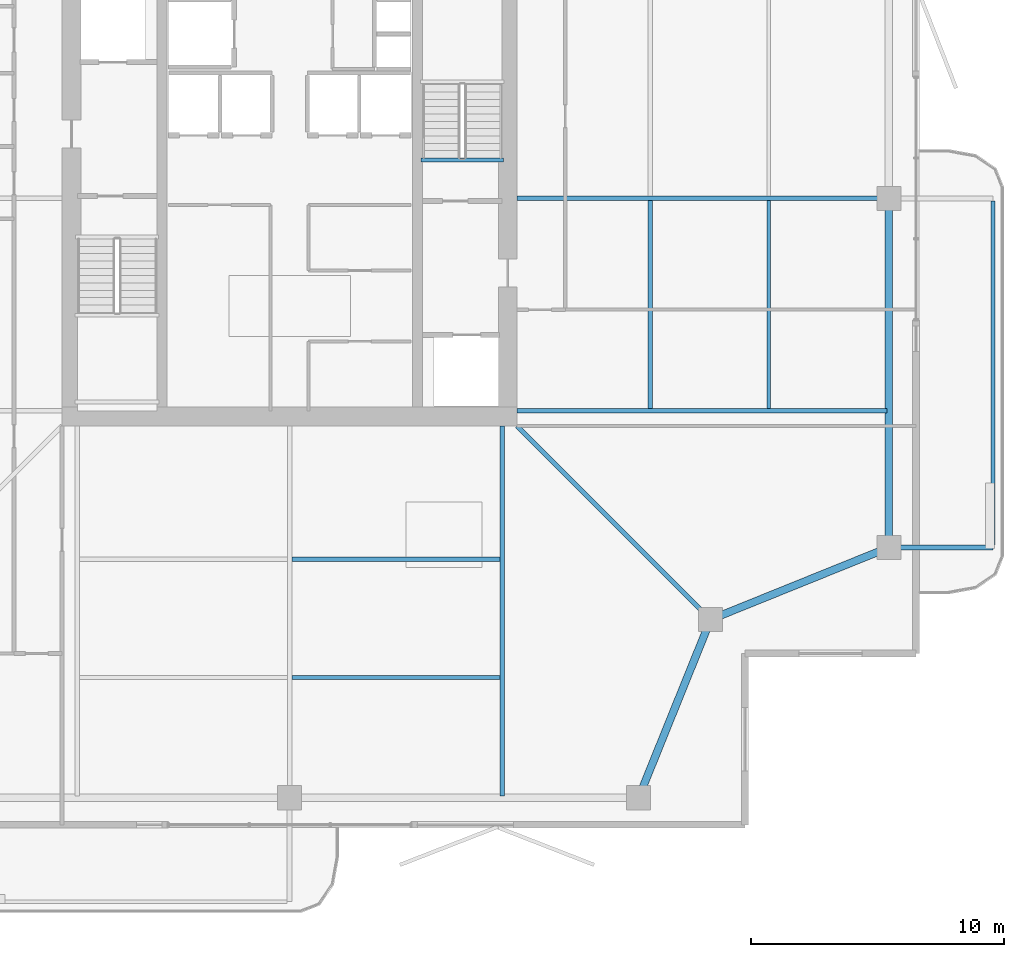
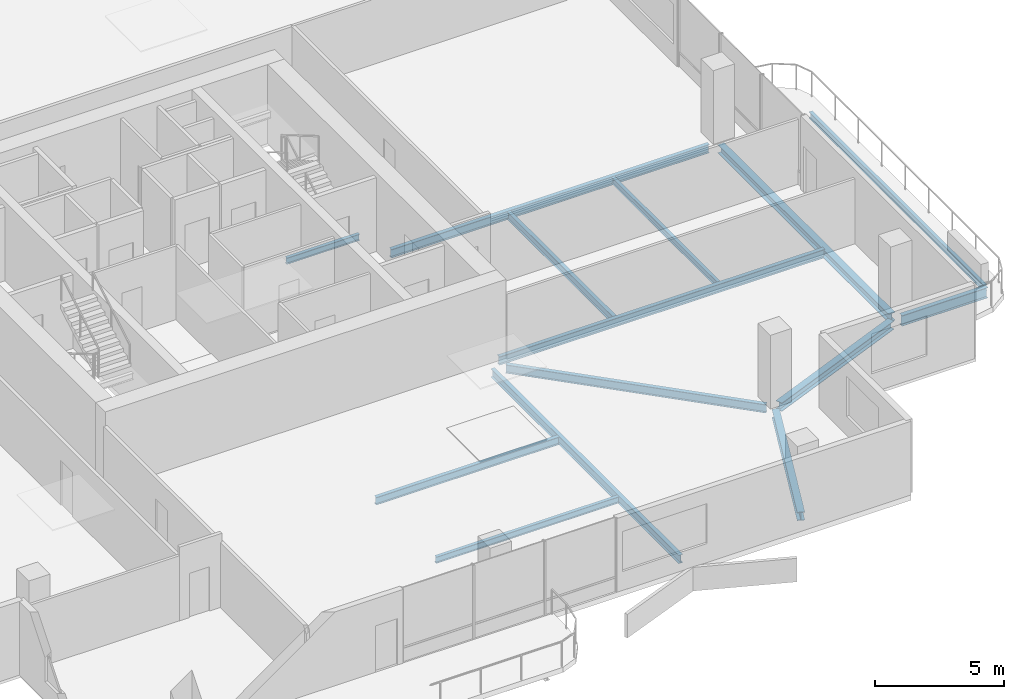
# One storey, part 9 of 23: 14 beams.
"""IFC4 building model written with IfcOpenShell, lengths in metres."""

from ifc_helpers import new_model, si_unit, direction, frame, origin, origin_2d, place, context, subcontext, project, spatial, i_section, extrude, material, material_profile, profile_set, type_object, element, save


model = new_model("IFC4")

# Units and contexts
model_context = context("Model", 3, precision=1e-05, world=origin(), true_north=direction((0.0, 1.0)))
body_context = subcontext(model_context, "Body", "Model", "MODEL_VIEW")
ifc_project = project(units=[si_unit("LENGTHUNIT", "METRE"), si_unit("AREAUNIT", "SQUARE_METRE"), si_unit("VOLUMEUNIT", "CUBIC_METRE"), si_unit("PLANEANGLEUNIT", "RADIAN"), si_unit("MASSUNIT", "GRAM", prefix="KILO")], contexts=[model_context])

# Site, building, storey
site_placement = place(None, origin())
site = spatial("IfcSite", under=ifc_project, at=site_placement, CompositionType="ELEMENT")
building_placement = place(site_placement, origin())
building = spatial("IfcBuilding", under=site, at=building_placement, Name="Belovzor Exchange Tower", CompositionType="ELEMENT")
storey_placement = place(building_placement, frame((0.0, 0.0, 276.60009765625)))
storey = spatial("IfcBuildingStorey", under=building, at=storey_placement, Name="L69", CompositionType="ELEMENT", Elevation=276.60009765625)

# Beams
ifc_material_1 = material(Name="Steel S355", Category="steel")
ifc_material_profile_1 = material_profile(ifc_material_1, i_section(OverallWidth=0.199951171875, OverallDepth=0.5, WebThickness=0.01025390625, FlangeThickness=0.01611328125, at=origin_2d()))
ifc_profile_set_1 = profile_set([ifc_material_profile_1], Name="Steel S355")
beam_type_1 = type_object("IfcBeamType", Name="Planted Balcony Cantilever Beam IPE 500", PredefinedType="BEAM", material=ifc_profile_set_1)
beam_1_placement = place(storey_placement, frame((52.760986328125, 15.0, -0.5), z_axis=(1.0, 0.0, 0.0), x_axis=(0.0, 1.0, 0.0)))
element("IfcBeam", 1, at=beam_1_placement, inside=storey, type_object=beam_type_1, Name="BC-500 Planted Balcony Cantilever Beam IPE 500", PredefinedType="BEAM", context=body_context, shape_type="SweptSolid", body=[
    extrude(i_section(OverallWidth=0.199951171875, OverallDepth=0.5, WebThickness=0.01025390625, FlangeThickness=0.01611328125, at=origin_2d()), origin(), (0.0, 0.0, 1.0), 3.85009765625),
])
ifc_material_2 = material(Name="Steel S355", Category="steel")
ifc_material_profile_2 = material_profile(ifc_material_2, i_section(OverallWidth=0.14990234375, OverallDepth=0.300048828125, WebThickness=0.007080078125, FlangeThickness=0.0107421875, at=origin_2d()))
ifc_profile_set_2 = profile_set([ifc_material_profile_2], Name="Steel S355")
beam_type_2 = type_object("IfcBeamType", Name="Planted Balcony Fascia Edge Beam IPE 300", PredefinedType="BEAM", material=ifc_profile_set_2)
beam_2_placement = place(storey_placement, frame((56.611083984375, 15.10009765625, -0.400146484375), z_axis=(0.0, 1.0, 0.0), x_axis=(-1.0, 0.0, 0.0)))
element("IfcBeam", 2, at=beam_2_placement, inside=storey, type_object=beam_type_2, Name="BC-300 Planted Balcony Fascia Edge Beam IPE 300", PredefinedType="BEAM", context=body_context, shape_type="SweptSolid", body=[
    extrude(i_section(OverallWidth=0.14990234375, OverallDepth=0.300048828125, WebThickness=0.007080078125, FlangeThickness=0.0107421875, at=origin_2d()), origin(), (0.0, 0.0, 1.0), 13.599853515625),
])
ifc_material_3 = material(Name="Steel S355", Category="steel")
ifc_material_profile_3 = material_profile(ifc_material_3, i_section(OverallWidth=0.169921875, OverallDepth=0.360107421875, WebThickness=0.008056640625, FlangeThickness=0.0126953125, at=origin_2d()))
ifc_profile_set_3 = profile_set([ifc_material_profile_3], Name="Steel S355")
beam_type_3 = type_object("IfcBeamType", Name="Secondary Infill Floor Joist IPE 360", PredefinedType="BEAM", material=ifc_profile_set_3)
beam_3_placement = place(storey_placement, frame((28.889892578125, 14.534912109375, -0.43017578125), z_axis=(1.0, 0.0, 0.0), x_axis=(0.0, 1.0, 0.0)))
element("IfcBeam", 3, at=beam_3_placement, inside=storey, type_object=beam_type_3, Name="FJ-360 Secondary Infill Floor Joist IPE 360", PredefinedType="BEAM", context=body_context, shape_type="SweptSolid", body=[
    extrude(i_section(OverallWidth=0.169921875, OverallDepth=0.360107421875, WebThickness=0.008056640625, FlangeThickness=0.0126953125, at=origin_2d()), origin(), (0.0, 0.0, 1.0), 8.22021484375),
])
beam_4_placement = place(storey_placement, frame((43.06494140625, 20.489990234375, -0.43017578125), z_axis=(0.0, 1.0, 0.0), x_axis=(-1.0, 0.0, 0.0)))
element("IfcBeam", 4, at=beam_4_placement, inside=storey, type_object=beam_type_3, Name="FJ-360 Secondary Infill Floor Joist IPE 360", PredefinedType="BEAM", context=body_context, shape_type="SweptSolid", body=[
    extrude(i_section(OverallWidth=0.169921875, OverallDepth=0.360107421875, WebThickness=0.008056640625, FlangeThickness=0.0126953125, at=origin_2d()), origin(), (0.0, 0.0, 1.0), 8.219970703125),
])
ifc_material_4 = material(Name="Steel S355", Category="steel")
ifc_material_profile_4 = material_profile(ifc_material_4, i_section(OverallWidth=0.14990234375, OverallDepth=0.300048828125, WebThickness=0.007080078125, FlangeThickness=0.0107421875, at=origin_2d()))
ifc_profile_set_4 = profile_set([ifc_material_profile_4], Name="Steel S355")
beam_type_4 = type_object("IfcBeamType", Name="Secondary Trim Floor Joist IPE 300", PredefinedType="BEAM", material=ifc_profile_set_4)
beam_5_placement = place(storey_placement, frame((37.260009765625, 30.320068359375, -0.400146484375), z_axis=(-1.0, 0.0, 0.0), x_axis=(0.0, -1.0, 0.0)))
element("IfcBeam", 5, at=beam_5_placement, inside=storey, type_object=beam_type_4, Name="FJ-300 Secondary Trim Floor Joist IPE 300", PredefinedType="BEAM", context=body_context, shape_type="SweptSolid", body=[
    extrude(i_section(OverallWidth=0.14990234375, OverallDepth=0.300048828125, WebThickness=0.007080078125, FlangeThickness=0.0107421875, at=origin_2d()), origin(), (0.0, 0.0, 1.0), 3.27001953125),
])
beam_6_placement = place(storey_placement, frame((28.889892578125, 9.85498046875, -0.400146484375), z_axis=(1.0, 0.0, 0.0), x_axis=(0.0, 1.0, 0.0)))
element("IfcBeam", 6, at=beam_6_placement, inside=storey, type_object=beam_type_4, Name="FJ-300 Secondary Trim Floor Joist IPE 300", PredefinedType="BEAM", context=body_context, shape_type="SweptSolid", body=[
    extrude(i_section(OverallWidth=0.14990234375, OverallDepth=0.300048828125, WebThickness=0.007080078125, FlangeThickness=0.0107421875, at=origin_2d()), origin(), (0.0, 0.0, 1.0), 8.22021484375),
])
beam_7_placement = place(storey_placement, frame((47.7451171875, 20.489990234375, -0.400146484375), z_axis=(0.0, 1.0, 0.0), x_axis=(-1.0, 0.0, 0.0)))
element("IfcBeam", 7, at=beam_7_placement, inside=storey, type_object=beam_type_4, Name="FJ-300 Secondary Trim Floor Joist IPE 300", PredefinedType="BEAM", context=body_context, shape_type="SweptSolid", body=[
    extrude(i_section(OverallWidth=0.14990234375, OverallDepth=0.300048828125, WebThickness=0.007080078125, FlangeThickness=0.0107421875, at=origin_2d()), origin(), (0.0, 0.0, 1.0), 8.219970703125),
])
ifc_material_5 = material(Name="Steel S355", Category="steel")
ifc_material_profile_5 = material_profile(ifc_material_5, i_section(OverallWidth=0.300048828125, OverallDepth=0.39990234375, WebThickness=0.013427734375, FlangeThickness=0.02392578125, at=origin_2d()))
ifc_profile_set_5 = profile_set([ifc_material_profile_5], Name="Steel S355")
beam_type_5 = type_object("IfcBeamType", Name="Zone 5 Primary Girder HEB 400", PredefinedType="BEAM", material=ifc_profile_set_5)
beam_8_placement = place(storey_placement, frame((42.697998046875, 5.342041015625, -0.4501953125), z_axis=(0.374758283536, 0.927122553345, 0.0), x_axis=(-0.927122553345, 0.374758283536, 0.0)))
element("IfcBeam", 8, at=beam_8_placement, inside=storey, type_object=beam_type_5, Name="FG-Z5 Zone 5 Primary Girder HEB 400", PredefinedType="BEAM", context=body_context, shape_type="SweptSolid", body=[
    extrude(i_section(OverallWidth=0.300048828125, OverallDepth=0.39990234375, WebThickness=0.013427734375, FlangeThickness=0.02392578125, at=origin_2d()), origin(), (0.0, 0.0, 1.0), 7.08203125),
])
beam_9_placement = place(storey_placement, frame((45.69189453125, 12.248046875, -0.4501953125), z_axis=(0.927127394661, 0.374746306278, 0.0), x_axis=(-0.374746306278, 0.927127394661, 0.0)))
element("IfcBeam", 9, at=beam_9_placement, inside=storey, type_object=beam_type_5, Name="FG-Z5 Zone 5 Primary Girder HEB 400", PredefinedType="BEAM", context=body_context, shape_type="SweptSolid", body=[
    extrude(i_section(OverallWidth=0.300048828125, OverallDepth=0.39990234375, WebThickness=0.013427734375, FlangeThickness=0.02392578125, at=origin_2d()), origin(), (0.0, 0.0, 1.0), 7.082275390625),
])
beam_10_placement = place(storey_placement, frame((52.5, 15.260986328125, -0.4501953125), z_axis=(0.0, 1.0, 0.0), x_axis=(-1.0, 0.0, 0.0)))
element("IfcBeam", 10, at=beam_10_placement, inside=storey, type_object=beam_type_5, Name="FG-Z5 Zone 5 Primary Girder HEB 400", PredefinedType="BEAM", context=body_context, shape_type="SweptSolid", body=[
    extrude(i_section(OverallWidth=0.300048828125, OverallDepth=0.39990234375, WebThickness=0.013427734375, FlangeThickness=0.02392578125, at=origin_2d()), origin(), (0.0, 0.0, 1.0), 13.278076171875),
])
ifc_material_6 = material(Name="Steel S355", Category="steel")
ifc_material_profile_6 = material_profile(ifc_material_6, i_section(OverallWidth=0.179931640625, OverallDepth=0.39990234375, WebThickness=0.008544921875, FlangeThickness=0.013427734375, at=origin_2d()))
ifc_profile_set_6 = profile_set([ifc_material_profile_6], Name="Steel S355")
beam_type_6 = type_object("IfcBeamType", Name="Zone 5-6 Radial Composite Floor Beam IPE 400", PredefinedType="BEAM", material=ifc_profile_set_6)
for number, where, z_axis, x_axis, name in (
    (11, (37.199951171875, 19.800048828125, -0.4501953125), (0.0, -1.0, 0.0), (1.0, 0.0, 0.0), "FB-400 Zone 5-6 Radial Composite Floor Beam IPE 400"),
    (12, (37.800048828125, 20.39990234375, -0.4501953125), (1.0, 0.0, 0.0), (0.0, 1.0, 0.0), "FB-400 Zone 5-6 Radial Composite Floor Beam IPE 400"),
):
    element("IfcBeam", number, at=place(storey_placement, frame(where, z_axis=z_axis, x_axis=x_axis)), inside=storey, type_object=beam_type_6, Name=name, PredefinedType="BEAM", context=body_context, shape_type="SweptSolid", body=[
        extrude(i_section(OverallWidth=0.179931640625, OverallDepth=0.39990234375, WebThickness=0.008544921875, FlangeThickness=0.013427734375, at=origin_2d()), origin(), (0.0, 0.0, 1.0), 14.625),
    ])
beam_11_placement = place(storey_placement, frame((37.800048828125, 28.800048828125, -0.4501953125), z_axis=(1.0, 0.0, 0.0), x_axis=(0.0, 1.0, 0.0)))
element("IfcBeam", 13, at=beam_11_placement, inside=storey, type_object=beam_type_6, Name="FB-400 Zone 5-6 Radial Composite Floor Beam IPE 400", PredefinedType="BEAM", context=body_context, shape_type="SweptSolid", body=[
    extrude(i_section(OverallWidth=0.179931640625, OverallDepth=0.39990234375, WebThickness=0.008544921875, FlangeThickness=0.013427734375, at=origin_2d()), origin(), (0.0, 0.0, 1.0), 14.281982421875),
])
beam_12_placement = place(storey_placement, frame((37.800048828125, 19.800048828125, -0.4501953125), z_axis=(0.707141714703, -0.707071845944, 0.0), x_axis=(0.707071845944, 0.707141714703, 0.0)))
element("IfcBeam", 14, at=beam_12_placement, inside=storey, type_object=beam_type_6, Name="FB-400 Zone 5-6 Radial Composite Floor Beam IPE 400", PredefinedType="BEAM", context=body_context, shape_type="SweptSolid", body=[
    extrude(i_section(OverallWidth=0.179931640625, OverallDepth=0.39990234375, WebThickness=0.008544921875, FlangeThickness=0.013427734375, at=origin_2d()), origin(), (0.0, 0.0, 1.0), 10.48291015625),
])

save(model, "model.ifc")
